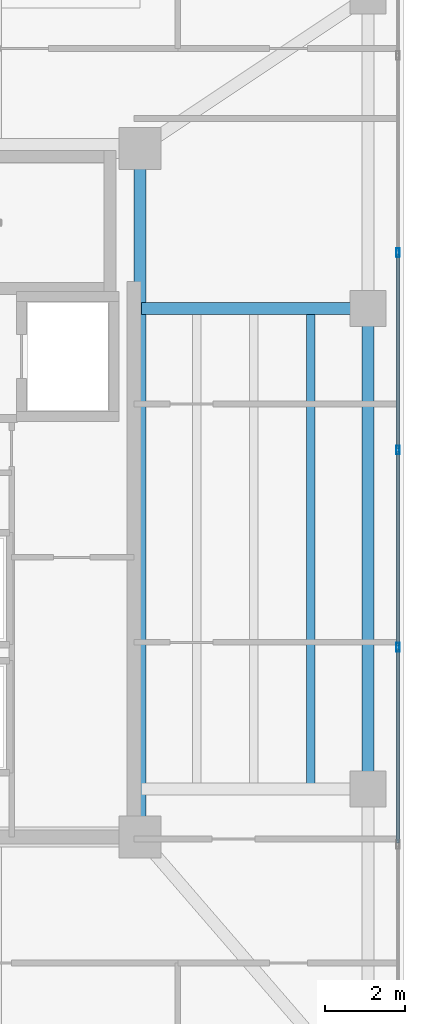
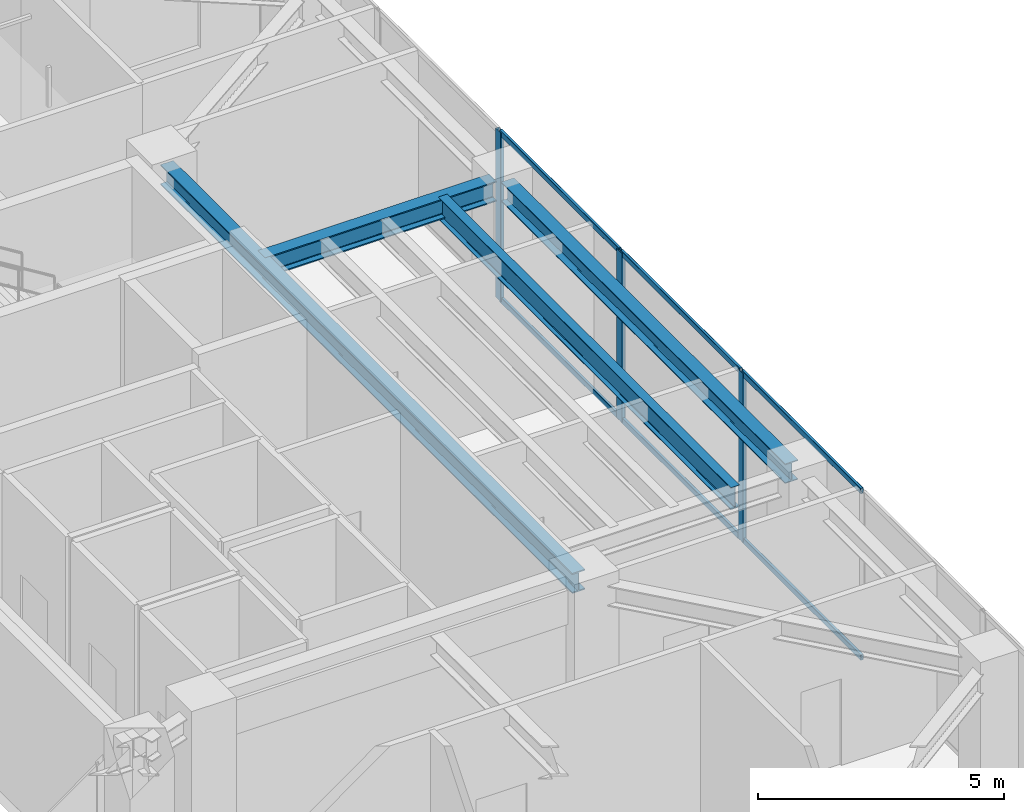
# One storey, part 16 of 33: 9 members, 4 beams, 1 element without a shape of its own.
"""IFC4 building model written with IfcOpenShell, lengths in metres."""

import ifcopenshell
import ifcopenshell.guid

model = None  # the IFC model being written
_history = None  # IfcOwnerHistory: only IFC2X3 demands one
_inside = {}  # id of a spatial element -> (the spatial element, [elements in it])
_under = {}  # id of a project, library or spatial element -> (it, [spatial elements below it])
_declared = {}  # id of a project -> (the project, [libraries it declares])
_typed = {}  # id of a type object -> (the type object, [elements of that type])
_made_of = {}  # id of a material, layer set ... -> (it, [elements and type objects made of it])


def new_model(schema):
    """Start an empty IFC model of exactly this schema.

    Asked for "IFC4X3", IfcOpenShell would pick the latest addendum, in which some entities
    have other attributes; the version numbers below select the first issue.
    IFC2X3 requires an IfcOwnerHistory on every rooted entity: one is made here for all.
    """
    global model, _history
    if schema == "IFC4X3":
        model = ifcopenshell.file(schema_version=(4, 3, 0, 0))
    else:
        model = ifcopenshell.file(schema=schema)
    _inside.clear()
    _under.clear()
    _declared.clear()
    _typed.clear()
    _made_of.clear()
    _history = None
    if model.schema == "IFC2X3":
        org = make("IfcOrganization", Name="unknown")
        user = make(
            "IfcPersonAndOrganization",
            ThePerson=make("IfcPerson", FamilyName="unknown"),
            TheOrganization=org,
        )
        app = make(
            "IfcApplication",
            ApplicationDeveloper=org,
            Version="unknown",
            ApplicationFullName="unknown",
            ApplicationIdentifier="unknown",
        )
        _history = make(
            "IfcOwnerHistory",
            OwningUser=user,
            OwningApplication=app,
            ChangeAction="ADDED",
            CreationDate=0,
        )
    return model


def make(cls, **values):
    """One entity of the class cls with the attributes given. An attribute that is None is left unset."""
    return model.create_entity(
        cls, **{name: value for name, value in values.items() if value is not None}
    )


def rooted(cls, **values):
    """An entity with a GlobalId (a new one), such as an element, a storey or a relation."""
    return make(cls, GlobalId=ifcopenshell.guid.new(), OwnerHistory=_history, **values)


def si_unit(unit_type, name, prefix=None):
    """IfcSIUnit, for example si_unit("LENGTHUNIT", "METRE", prefix="MILLI")."""
    return make("IfcSIUnit", UnitType=unit_type, Prefix=prefix, Name=name)


def assignment(units):
    """IfcUnitAssignment: the units of a project."""
    return None if units is None else make("IfcUnitAssignment", Units=units)


def point(xyz):
    """IfcCartesianPoint."""
    return None if xyz is None else make("IfcCartesianPoint", Coordinates=xyz)


def direction(xyz):
    """IfcDirection."""
    return None if xyz is None else make("IfcDirection", DirectionRatios=xyz)


def frame(location, z_axis=None, x_axis=None):
    """IfcAxis2Placement3D, a coordinate frame: its origin and axes. An axis left out is left unset."""
    return make(
        "IfcAxis2Placement3D",
        Location=point(location),
        Axis=direction(z_axis),
        RefDirection=direction(x_axis),
    )


def frame_2d(location, x_axis=None):
    """IfcAxis2Placement2D, a coordinate frame in the plane: its origin and x axis."""
    return make(
        "IfcAxis2Placement2D", Location=point(location), RefDirection=direction(x_axis)
    )


def origin():
    """The frame at (0, 0, 0) with its axes left unset."""
    return frame((0.0, 0.0, 0.0))


def origin_2d():
    """The frame at (0, 0) in the plane with its x axis left unset."""
    return frame_2d((0.0, 0.0))


def place(relative_to, where):
    """IfcLocalPlacement: puts the frame where relative to a parent placement (None: the world)."""
    return make(
        "IfcLocalPlacement", PlacementRelTo=relative_to, RelativePlacement=where
    )


def context(
    kind, dimensions, precision=None, world=None, true_north=None, identifier=None
):
    """IfcGeometricRepresentationContext, for example the 3D "Model" context."""
    return make(
        "IfcGeometricRepresentationContext",
        ContextIdentifier=identifier,
        ContextType=kind,
        CoordinateSpaceDimension=dimensions,
        Precision=precision,
        WorldCoordinateSystem=world,
        TrueNorth=true_north,
    )


def subcontext(parent, identifier, kind, view, scale=None):
    """IfcGeometricRepresentationSubContext, for example "Body" below "Model"."""
    return make(
        "IfcGeometricRepresentationSubContext",
        ContextIdentifier=identifier,
        ContextType=kind,
        ParentContext=parent,
        TargetScale=scale,
        TargetView=view,
    )


def project(units=None, contexts=None):
    """IfcProject with its units and contexts."""
    return rooted(
        "IfcProject",
        Name="project",
        RepresentationContexts=contexts,
        UnitsInContext=assignment(units),
    )


def spatial(cls, under=None, at=None, **own):
    """A site, building, storey or space (cls), placed at a placement, below another one or the project."""
    s = rooted(cls, ObjectPlacement=at, **own)
    if under is not None:
        _under.setdefault(under.id(), (under, []))[1].append(s)
    return s


def profile(cls, at=None, kind="AREA", **sizes):
    """A parametric profile (cls). Its sizes go by their IFC names, for example OverallWidth=200.0."""
    return make(cls, ProfileType=kind, Position=at, **sizes)


def hollow_rectangle(**sizes):
    """IfcRectangleHollowProfileDef."""
    return profile("IfcRectangleHollowProfileDef", **sizes)


def i_section(**sizes):
    """IfcIShapeProfileDef."""
    return profile("IfcIShapeProfileDef", **sizes)


def extrude(swept, where, along, depth):
    """IfcExtrudedAreaSolid: the profile swept, set in the frame where, extruded along a direction by depth."""
    return make(
        "IfcExtrudedAreaSolid",
        SweptArea=swept,
        Position=where,
        ExtrudedDirection=direction(along),
        Depth=depth,
    )


def shape(context_of_items, identifier, shape_type, items):
    """IfcShapeRepresentation: the items that make up one representation, for example the "Body"."""
    return make(
        "IfcShapeRepresentation",
        ContextOfItems=context_of_items,
        RepresentationIdentifier=identifier,
        RepresentationType=shape_type,
        Items=items,
    )


def material(Name=None, Category=None):
    """IfcMaterial."""
    return make("IfcMaterial", Name=Name, Category=Category)


def layer(
    of_material, thickness, ventilated=None, Name=None, Category=None, Priority=None
):
    """IfcMaterialLayer: one layer of a wall or slab, of a material (None: an air gap)."""
    return make(
        "IfcMaterialLayer",
        Material=of_material,
        LayerThickness=thickness,
        IsVentilated=ventilated,
        Name=Name,
        Category=Category,
        Priority=Priority,
    )


def layer_set(layers, Name=None):
    """IfcMaterialLayerSet."""
    return make("IfcMaterialLayerSet", MaterialLayers=layers, LayerSetName=Name)


def material_profile(
    of_material, cross_section, Name=None, Category=None, Priority=None
):
    """IfcMaterialProfile: a cross section and its material."""
    return make(
        "IfcMaterialProfile",
        Name=Name,
        Material=of_material,
        Profile=cross_section,
        Priority=Priority,
        Category=Category,
    )


def profile_set(profiles, Name=None, composite=None):
    """IfcMaterialProfileSet."""
    return make(
        "IfcMaterialProfileSet",
        Name=Name,
        MaterialProfiles=profiles,
        CompositeProfile=composite,
    )


def made_of(thing, what):
    """Note that an element or type object is made of a material, layer set ...; save() writes the relation."""
    if what is not None:
        _made_of.setdefault(what.id(), (what, []))[1].append(thing)
    return thing


def type_object(cls, material=None, **own):
    """A type object (cls), such as IfcWallType, which elements share."""
    return made_of(rooted(cls, **own), material)


def element(
    cls,
    number,
    at=None,
    inside=None,
    cuts=None,
    type_object=None,
    material=None,
    context=None,
    identifier="Body",
    shape_type=None,
    held_by="IfcProductDefinitionShape",
    body=None,
    shapes=None,
    **own,
):
    """One element of the class cls, such as IfcWall. Its Tag is "e" and its number.

    at: its placement. inside: the storey or other place that contains it. cuts: it is an
    opening in that element (IfcRelVoidsElement). A single representation is given by context,
    identifier, shape_type and body (its items); several are given by shapes. held_by: the class
    of the entity that holds the representations. save() writes the other relations.
    """
    e = rooted(cls, Tag="e%d" % number, ObjectPlacement=at, **own)
    if body is not None:
        shapes = [shape(context, identifier, shape_type, body)]
    if shapes is not None:
        e.Representation = make(held_by, Representations=shapes)
    if inside is not None:
        _inside.setdefault(inside.id(), (inside, []))[1].append(e)
    if cuts is not None:
        rooted(
            "IfcRelVoidsElement", RelatingBuildingElement=cuts, RelatedOpeningElement=e
        )
    if type_object is not None:
        _typed.setdefault(type_object.id(), (type_object, []))[1].append(e)
    return made_of(e, material)


def aggregate(whole, parts):
    """IfcRelAggregates: a whole, such as a stair, and the parts it consists of."""
    return rooted("IfcRelAggregates", RelatingObject=whole, RelatedObjects=parts)


def save(model, path):
    """Write the relations noted so far, then the file.

    IfcRelAggregates (storeys below a building ...), IfcRelContainedInSpatialStructure (elements
    in a storey), IfcRelDefinesByType, IfcRelAssociatesMaterial and IfcRelDeclares: one each for
    every whole, place, type object, material and project.
    """
    for whole, parts in _under.values():
        aggregate(whole, parts)
    for where, things in _inside.values():
        rooted(
            "IfcRelContainedInSpatialStructure",
            RelatedElements=things,
            RelatingStructure=where,
        )
    for kind, things in _typed.values():
        rooted("IfcRelDefinesByType", RelatedObjects=things, RelatingType=kind)
    for what, things in _made_of.values():
        rooted("IfcRelAssociatesMaterial", RelatedObjects=things, RelatingMaterial=what)
    for by, libraries in _declared.values():
        rooted("IfcRelDeclares", RelatingContext=by, RelatedDefinitions=libraries)
    model.write(path)


model = new_model("IFC4")

# Units and contexts
model_context = context("Model", 3, precision=1e-05, world=origin(), true_north=direction((0.0, 1.0)))
body_context = subcontext(model_context, "Body", "Model", "MODEL_VIEW")
ifc_project = project(units=[si_unit("LENGTHUNIT", "METRE"), si_unit("AREAUNIT", "SQUARE_METRE"), si_unit("VOLUMEUNIT", "CUBIC_METRE"), si_unit("PLANEANGLEUNIT", "RADIAN"), si_unit("MASSUNIT", "GRAM", prefix="KILO")], contexts=[model_context])

# Site, building, storey
site_placement = place(None, origin())
site = spatial("IfcSite", under=ifc_project, at=site_placement, CompositionType="ELEMENT")
building_placement = place(site_placement, origin())
building = spatial("IfcBuilding", under=site, at=building_placement, Name="Tarnavaz Court Tower", CompositionType="ELEMENT")
storey_placement = place(building_placement, frame((0.0, 0.0, 177.300048828125)))
storey = spatial("IfcBuildingStorey", under=building, at=storey_placement, Name="L48", CompositionType="ELEMENT", Elevation=177.300048828125)

# Beams
ifc_material_1 = material(Name="Steel S355", Category="steel")
ifc_material_profile_1 = material_profile(ifc_material_1, i_section(OverallWidth=0.300048828125, OverallDepth=0.5, WebThickness=0.014404296875, FlangeThickness=0.028076171875, FilletRadius=0.027099609375, at=origin_2d()), Name="HEB 500")
ifc_profile_set_1 = profile_set([ifc_material_profile_1], Name="Steel S355")
beam_type_1 = type_object("IfcBeamType", Name="BM-G-HEB500", PredefinedType="USERDEFINED", material=ifc_profile_set_1)
beam_1_placement = place(storey_placement, frame((18.60009765625, -6.97998046875, 3.949951171875), z_axis=(0.0, 1.0, 0.0), x_axis=(-1.0, 0.0, 0.0)))
element("IfcBeam", 1, at=beam_1_placement, inside=storey, type_object=beam_type_1, Name="L48 Beam IN-CE-SO-CE-NO", ObjectType="GIRDER", PredefinedType="USERDEFINED", context=body_context, shape_type="SweptSolid", body=[
    extrude(i_section(OverallWidth=0.300048828125, OverallDepth=0.5, WebThickness=0.014404296875, FlangeThickness=0.028076171875, FilletRadius=0.027099609375, at=origin_2d()), origin(), (0.0, 0.0, 1.0), 16.760009765625),
])
beam_2_placement = place(storey_placement, frame((18.639892578125, 6.0, 3.949951171875), z_axis=(1.0, 0.0, 0.0), x_axis=(0.0, 1.0, 0.0)))
element("IfcBeam", 2, at=beam_2_placement, inside=storey, type_object=beam_type_1, Name="L48 Beam RG-10", ObjectType="GIRDER", PredefinedType="USERDEFINED", context=body_context, shape_type="SweptSolid", body=[
    extrude(i_section(OverallWidth=0.300048828125, OverallDepth=0.5, WebThickness=0.014404296875, FlangeThickness=0.028076171875, FilletRadius=0.027099609375, at=origin_2d()), origin(), (0.0, 0.0, 1.0), 5.440185546875),
])
ifc_material_profile_2 = material_profile(ifc_material_1, i_section(OverallWidth=0.2099609375, OverallDepth=0.550048828125, WebThickness=0.010986328125, FlangeThickness=0.01708984375, FilletRadius=0.02392578125, at=origin_2d()), Name="IPE 550")
ifc_profile_set_2 = profile_set([ifc_material_profile_2], Name="Steel S355")
beam_type_2 = type_object("IfcBeamType", Name="BM-J-IPE550", PredefinedType="JOIST", material=ifc_profile_set_2)
beam_3_placement = place(storey_placement, frame((22.875, -5.9599609375, 3.925048828125), z_axis=(0.0, 1.0, 0.0), x_axis=(-1.0, 0.0, 0.0)))
element("IfcBeam", 3, at=beam_3_placement, inside=storey, type_object=beam_type_2, Name="L48 Beam JE3", PredefinedType="JOIST", context=body_context, shape_type="SweptSolid", body=[
    extrude(i_section(OverallWidth=0.2099609375, OverallDepth=0.550048828125, WebThickness=0.010986328125, FlangeThickness=0.01708984375, FilletRadius=0.02392578125, at=origin_2d()), origin(), (0.0, 0.0, 1.0), 11.919921875),
])
ifc_material_profile_3 = material_profile(ifc_material_1, i_section(OverallWidth=0.300048828125, OverallDepth=0.489990234375, WebThickness=0.011962890625, FlangeThickness=0.02294921875, FilletRadius=0.027099609375, at=origin_2d()), Name="HEA 500")
ifc_profile_set_3 = profile_set([ifc_material_profile_3], Name="Steel S355")
beam_type_3 = type_object("IfcBeamType", Name="BM-SP-HEA500", PredefinedType="SPANDREL", material=ifc_profile_set_3)
beam_4_placement = place(storey_placement, frame((24.300048828125, -5.780029296875, 3.954833984375), z_axis=(0.0, 1.0, 0.0), x_axis=(-1.0, 0.0, 0.0)))
element("IfcBeam", 4, at=beam_4_placement, inside=storey, type_object=beam_type_3, Name="L48 Beam PR-PE-2-PE-3", PredefinedType="SPANDREL", context=body_context, shape_type="SweptSolid", body=[
    extrude(i_section(OverallWidth=0.300048828125, OverallDepth=0.489990234375, WebThickness=0.011962890625, FlangeThickness=0.02294921875, FilletRadius=0.027099609375, at=origin_2d()), origin(), (0.0, 0.0, 1.0), 11.56005859375),
])

# Curtain wall, members
ifc_material_2 = material(Name="Anodised Aluminium 6063-T6 and Solar Low-E Glazing", Category="aluminium")
ifc_layer = layer(ifc_material_2, 0.199951171875)
ifc_layer_set = layer_set([ifc_layer], Name="Anodised Aluminium 6063-T6 and Solar Low-E Glazing")
curtain_wall_type = type_object("IfcCurtainWallType", Name="CW-SYS-05", PredefinedType="NOTDEFINED", material=ifc_layer_set)
curtain_wall_placement = place(storey_placement, origin())
curtain_wall = element("IfcCurtainWall", 5, at=curtain_wall_placement, inside=storey, type_object=curtain_wall_type, Name="L48 Sky-Portal Curtain Wall 12", PredefinedType="NOTDEFINED")
ifc_material_3 = material(Name="Anodised Aluminium 6063-T6", Category="aluminium")
ifc_material_profile_4 = material_profile(ifc_material_3, hollow_rectangle(XDim=0.0849609375, YDim=0.219970703125, WallThickness=0.006103515625, InnerFilletRadius=0.006103515625, OuterFilletRadius=0.011962890625, at=origin_2d()), Name="ALU RHS 220X85X6")
ifc_profile_set_4 = profile_set([ifc_material_profile_4], Name="Anodised Aluminium 6063-T6")
member_type_1 = type_object("IfcMemberType", Name="CW-MUL-220", PredefinedType="MULLION", material=ifc_profile_set_4)
member_1_placement = place(storey_placement, frame((25.050048828125, 7.392822265625, 0.0), z_axis=(0.0, 0.0, 1.0), x_axis=(1.0, 0.0, 0.0)))
member_1 = element("IfcMember", 6, at=member_1_placement, type_object=member_type_1, Name="CW mullion 3", PredefinedType="MULLION", context=body_context, shape_type="SweptSolid", body=[
    extrude(hollow_rectangle(XDim=0.0849609375, YDim=0.219970703125, WallThickness=0.006103515625, InnerFilletRadius=0.006103515625, OuterFilletRadius=0.011962890625, at=origin_2d()), origin(), (0.0, 0.0, 1.0), 4.199951171875),
])
member_2_placement = place(storey_placement, frame((25.050048828125, 2.46435546875, 0.0), z_axis=(0.0, 0.0, 1.0), x_axis=(1.0, 0.0, 0.0)))
member_2 = element("IfcMember", 7, at=member_2_placement, type_object=member_type_1, Name="CW mullion 4", PredefinedType="MULLION", context=body_context, shape_type="SweptSolid", body=[
    extrude(hollow_rectangle(XDim=0.0849609375, YDim=0.219970703125, WallThickness=0.006103515625, InnerFilletRadius=0.006103515625, OuterFilletRadius=0.011962890625, at=origin_2d()), origin(), (0.0, 0.0, 1.0), 4.199951171875),
])
member_3_placement = place(storey_placement, frame((25.050048828125, -2.46435546875, 0.0), z_axis=(0.0, 0.0, 1.0), x_axis=(1.0, 0.0, 0.0)))
member_3 = element("IfcMember", 8, at=member_3_placement, type_object=member_type_1, Name="CW mullion 5", PredefinedType="MULLION", context=body_context, shape_type="SweptSolid", body=[
    extrude(hollow_rectangle(XDim=0.0849609375, YDim=0.219970703125, WallThickness=0.006103515625, InnerFilletRadius=0.006103515625, OuterFilletRadius=0.011962890625, at=origin_2d()), origin(), (0.0, 0.0, 1.0), 4.199951171875),
])
ifc_material_profile_5 = material_profile(ifc_material_3, hollow_rectangle(XDim=0.06494140625, YDim=0.139892578125, WallThickness=0.00390625, InnerFilletRadius=0.00390625, OuterFilletRadius=0.008056640625, at=origin_2d()), Name="ALU RHS 140X65X4")
ifc_profile_set_5 = profile_set([ifc_material_profile_5], Name="Anodised Aluminium 6063-T6")
member_type_2 = type_object("IfcMemberType", Name="CW-TRN-140", PredefinedType="USERDEFINED", material=ifc_profile_set_5)
member_4_placement = place(storey_placement, frame((25.050048828125, 7.350341796875, 0.032470703125), z_axis=(0.0, -1.0, 0.0), x_axis=(1.0, 0.0, 0.0)))
member_4 = element("IfcMember", 9, at=member_4_placement, type_object=member_type_2, Name="CW transom 3.1", ObjectType="TRANSOM", PredefinedType="USERDEFINED", context=body_context, shape_type="SweptSolid", body=[
    extrude(hollow_rectangle(XDim=0.06494140625, YDim=0.139892578125, WallThickness=0.00390625, InnerFilletRadius=0.00390625, OuterFilletRadius=0.008056640625, at=origin_2d()), origin(), (0.0, 0.0, 1.0), 4.843505859375),
])
member_5_placement = place(storey_placement, frame((25.050048828125, 7.350341796875, 4.16748046875), z_axis=(0.0, -1.0, 0.0), x_axis=(1.0, 0.0, 0.0)))
member_5 = element("IfcMember", 10, at=member_5_placement, type_object=member_type_2, Name="CW transom 3.2", ObjectType="TRANSOM", PredefinedType="USERDEFINED", context=body_context, shape_type="SweptSolid", body=[
    extrude(hollow_rectangle(XDim=0.06494140625, YDim=0.139892578125, WallThickness=0.00390625, InnerFilletRadius=0.00390625, OuterFilletRadius=0.008056640625, at=origin_2d()), origin(), (0.0, 0.0, 1.0), 4.843505859375),
])
member_6_placement = place(storey_placement, frame((25.050048828125, 2.421875, 0.032470703125), z_axis=(0.0, -1.0, 0.0), x_axis=(1.0, 0.0, 0.0)))
member_6 = element("IfcMember", 11, at=member_6_placement, type_object=member_type_2, Name="CW transom 4.1", ObjectType="TRANSOM", PredefinedType="USERDEFINED", context=body_context, shape_type="SweptSolid", body=[
    extrude(hollow_rectangle(XDim=0.06494140625, YDim=0.139892578125, WallThickness=0.00390625, InnerFilletRadius=0.00390625, OuterFilletRadius=0.008056640625, at=origin_2d()), origin(), (0.0, 0.0, 1.0), 4.84375),
])
member_7_placement = place(storey_placement, frame((25.050048828125, 2.421875, 4.16748046875), z_axis=(0.0, -1.0, 0.0), x_axis=(1.0, 0.0, 0.0)))
member_7 = element("IfcMember", 12, at=member_7_placement, type_object=member_type_2, Name="CW transom 4.2", ObjectType="TRANSOM", PredefinedType="USERDEFINED", context=body_context, shape_type="SweptSolid", body=[
    extrude(hollow_rectangle(XDim=0.06494140625, YDim=0.139892578125, WallThickness=0.00390625, InnerFilletRadius=0.00390625, OuterFilletRadius=0.008056640625, at=origin_2d()), origin(), (0.0, 0.0, 1.0), 4.84375),
])
member_8_placement = place(storey_placement, frame((25.050048828125, -2.5068359375, 0.032470703125), z_axis=(0.0, -1.0, 0.0), x_axis=(1.0, 0.0, 0.0)))
member_8 = element("IfcMember", 13, at=member_8_placement, type_object=member_type_2, Name="CW transom 5.1", ObjectType="TRANSOM", PredefinedType="USERDEFINED", context=body_context, shape_type="SweptSolid", body=[
    extrude(hollow_rectangle(XDim=0.06494140625, YDim=0.139892578125, WallThickness=0.00390625, InnerFilletRadius=0.00390625, OuterFilletRadius=0.008056640625, at=origin_2d()), origin(), (0.0, 0.0, 1.0), 4.843505859375),
])
member_9_placement = place(storey_placement, frame((25.050048828125, -2.5068359375, 4.16748046875), z_axis=(0.0, -1.0, 0.0), x_axis=(1.0, 0.0, 0.0)))
member_9 = element("IfcMember", 14, at=member_9_placement, type_object=member_type_2, Name="CW transom 5.2", ObjectType="TRANSOM", PredefinedType="USERDEFINED", context=body_context, shape_type="SweptSolid", body=[
    extrude(hollow_rectangle(XDim=0.06494140625, YDim=0.139892578125, WallThickness=0.00390625, InnerFilletRadius=0.00390625, OuterFilletRadius=0.008056640625, at=origin_2d()), origin(), (0.0, 0.0, 1.0), 4.843505859375),
])
aggregate(curtain_wall, [member_1, member_2, member_3, member_4, member_5, member_6, member_7, member_8, member_9])

save(model, "model.ifc")
